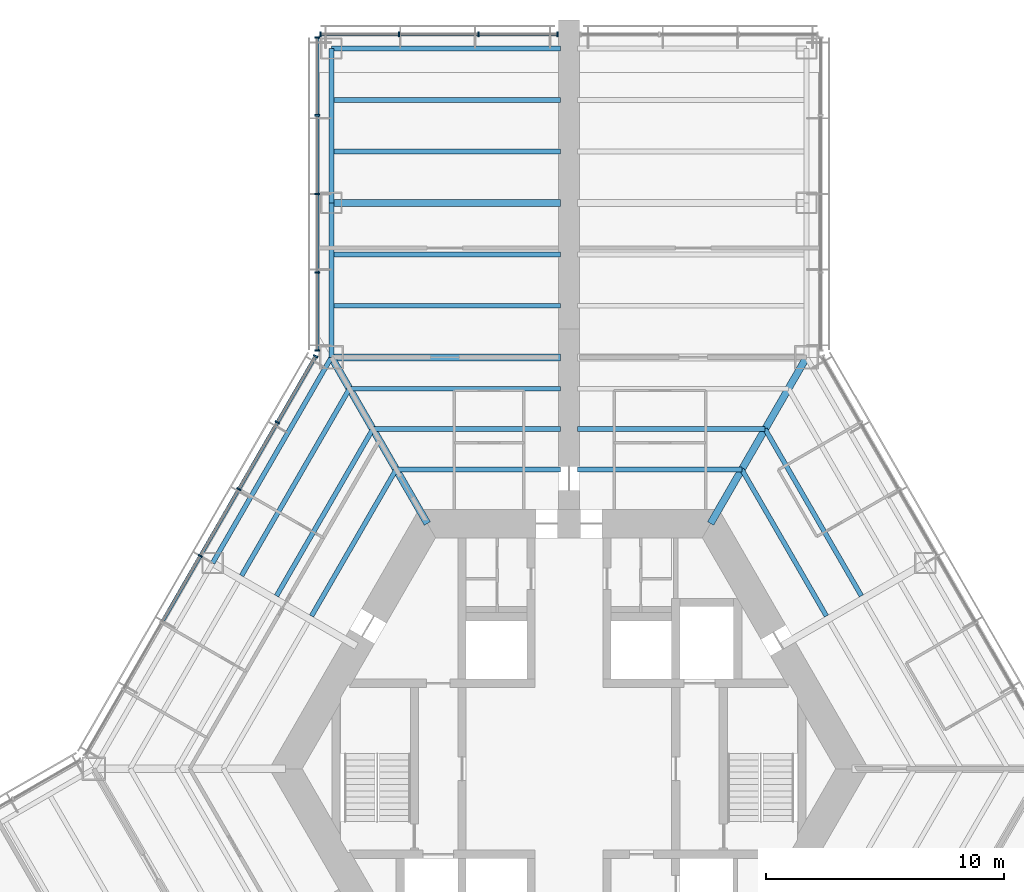
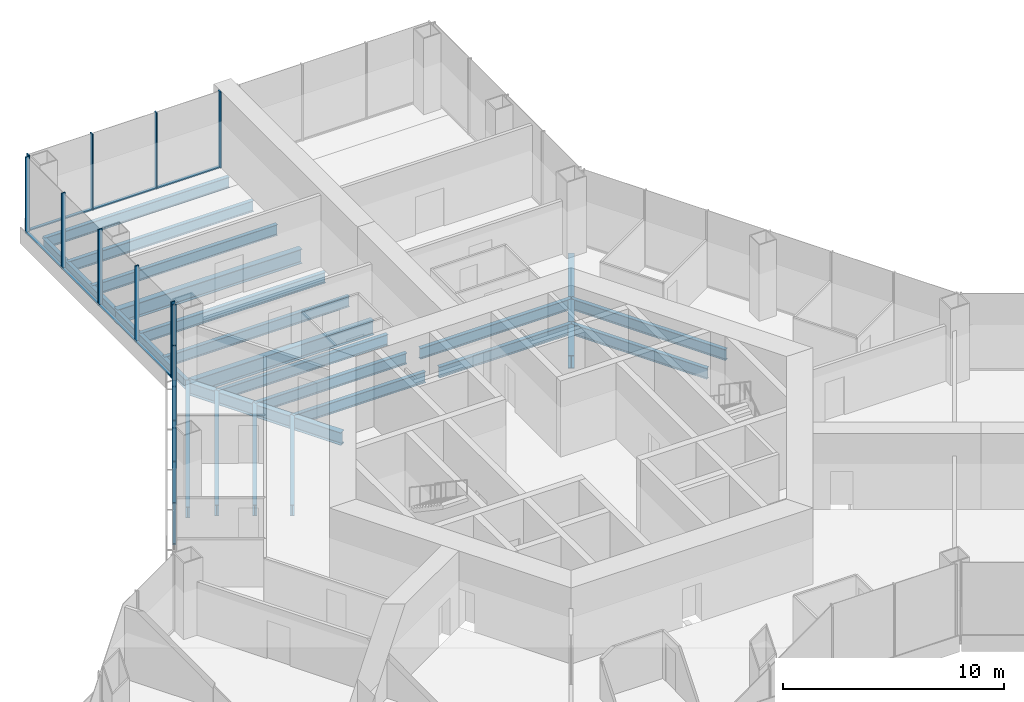
# One storey, part 6 of 17: 24 members, 22 beams, 3 elements without a shape of their own.
"""IFC4 building model written with IfcOpenShell, lengths in metres."""

from ifc_helpers import new_model, si_unit, direction, frame, origin, origin_2d, place, context, subcontext, project, spatial, rectangle, i_section, extrude, material, material_profile, profile_set, type_object, element, aggregate, save


model = new_model("IFC4")

# Units and contexts
model_context = context("Model", 3, precision=1e-05, world=origin(), true_north=direction((0.0, 1.0)))
body_context = subcontext(model_context, "Body", "Model", "MODEL_VIEW")
ifc_project = project(units=[si_unit("LENGTHUNIT", "METRE"), si_unit("AREAUNIT", "SQUARE_METRE"), si_unit("VOLUMEUNIT", "CUBIC_METRE"), si_unit("PLANEANGLEUNIT", "RADIAN"), si_unit("MASSUNIT", "GRAM", prefix="KILO")], contexts=[model_context])

# Site, building, storey
site_placement = place(None, origin())
site = spatial("IfcSite", under=ifc_project, at=site_placement, CompositionType="ELEMENT")
building_placement = place(site_placement, origin())
building = spatial("IfcBuilding", under=site, at=building_placement, Name="Kasaneha Research Tower", CompositionType="ELEMENT")
storey_placement = place(building_placement, frame((0.0, 0.0, 47.800048828125)))
storey = spatial("IfcBuildingStorey", under=building, at=storey_placement, Name="L12", CompositionType="ELEMENT", Elevation=47.800048828125)

# Beams
ifc_material_1 = material(Name="Steel SN490B", Category="steel")
ifc_material_profile_1 = material_profile(ifc_material_1, i_section(OverallWidth=0.199951171875, OverallDepth=0.60009765625, WebThickness=0.010986328125, FlangeThickness=0.01708984375, FilletRadius=0.012939453125, at=origin_2d()), Name="H-600x200x11x17")
ifc_profile_set_1 = profile_set([ifc_material_profile_1], Name="Steel SN490B")
beam_type_1 = type_object("IfcBeamType", Name="B1-2 secondary beam H-600x200x11x17", PredefinedType="JOIST", material=ifc_profile_set_1)
beam_1_placement = place(storey_placement, frame((7.274658203125, 12.60009765625, -0.469970703125), z_axis=(0.499990404686, -0.866030943571, 0.0), x_axis=(0.866030943571, 0.499990404686, 0.0)))
element("IfcBeam", 1, at=beam_1_placement, inside=storey, type_object=beam_type_1, Name="Secondary beam RS030R1 L12", PredefinedType="JOIST", context=body_context, shape_type="SweptSolid", body=[
    extrude(i_section(OverallWidth=0.199951171875, OverallDepth=0.60009765625, WebThickness=0.010986328125, FlangeThickness=0.01708984375, FilletRadius=0.012939453125, at=origin_2d()), origin(), (0.0, 0.0, 1.0), 7.124755859375),
])
beam_2_placement = place(storey_placement, frame((8.256103515625, 14.300048828125, -0.469970703125), z_axis=(0.499984030215, -0.866034623748, 0.0), x_axis=(0.866034623748, 0.499984030215, 0.0)))
element("IfcBeam", 2, at=beam_2_placement, inside=storey, type_object=beam_type_1, Name="Secondary beam RS030R2 L12", PredefinedType="JOIST", context=body_context, shape_type="SweptSolid", body=[
    extrude(i_section(OverallWidth=0.199951171875, OverallDepth=0.60009765625, WebThickness=0.010986328125, FlangeThickness=0.01708984375, FilletRadius=0.012939453125, at=origin_2d()), origin(), (0.0, 0.0, 1.0), 8.106201171875),
])
beam_3_placement = place(storey_placement, frame((7.274658203125, 12.60009765625, -0.469970703125), z_axis=(-1.0, 0.0, 0.0), x_axis=(0.0, -1.0, 0.0)))
element("IfcBeam", 3, at=beam_3_placement, inside=storey, type_object=beam_type_1, Name="Secondary beam RS090L1 L12", PredefinedType="JOIST", context=body_context, shape_type="SweptSolid", body=[
    extrude(i_section(OverallWidth=0.199951171875, OverallDepth=0.60009765625, WebThickness=0.010986328125, FlangeThickness=0.01708984375, FilletRadius=0.012939453125, at=origin_2d()), origin(), (0.0, 0.0, 1.0), 6.924560546875),
])
beam_4_placement = place(storey_placement, frame((8.256103515625, 14.300048828125, -0.469970703125), z_axis=(-1.0, 0.0, 0.0), x_axis=(0.0, -1.0, 0.0)))
element("IfcBeam", 4, at=beam_4_placement, inside=storey, type_object=beam_type_1, Name="Secondary beam RS090L2 L12", PredefinedType="JOIST", context=body_context, shape_type="SweptSolid", body=[
    extrude(i_section(OverallWidth=0.199951171875, OverallDepth=0.60009765625, WebThickness=0.010986328125, FlangeThickness=0.01708984375, FilletRadius=0.012939453125, at=origin_2d()), origin(), (0.0, 0.0, 1.0), 7.906005859375),
])
beam_5_placement = place(storey_placement, frame((-7.274658203125, 12.60009765625, -0.469970703125), z_axis=(1.0, 0.0, 0.0), x_axis=(0.0, 1.0, 0.0)))
element("IfcBeam", 5, at=beam_5_placement, inside=storey, type_object=beam_type_1, Name="Secondary beam RS090R1 L12", PredefinedType="JOIST", context=body_context, shape_type="SweptSolid", body=[
    extrude(i_section(OverallWidth=0.199951171875, OverallDepth=0.60009765625, WebThickness=0.010986328125, FlangeThickness=0.01708984375, FilletRadius=0.012939453125, at=origin_2d()), origin(), (0.0, 0.0, 1.0), 6.924560546875),
])
beam_6_placement = place(storey_placement, frame((-8.256103515625, 14.300048828125, -0.469970703125), z_axis=(1.0, 0.0, 0.0), x_axis=(0.0, 1.0, 0.0)))
element("IfcBeam", 6, at=beam_6_placement, inside=storey, type_object=beam_type_1, Name="Secondary beam RS090R2 L12", PredefinedType="JOIST", context=body_context, shape_type="SweptSolid", body=[
    extrude(i_section(OverallWidth=0.199951171875, OverallDepth=0.60009765625, WebThickness=0.010986328125, FlangeThickness=0.01708984375, FilletRadius=0.012939453125, at=origin_2d()), origin(), (0.0, 0.0, 1.0), 7.906005859375),
])
beam_7_placement = place(storey_placement, frame((-9.237548828125, 16.0, -0.469970703125), z_axis=(1.0, 0.0, 0.0), x_axis=(0.0, 1.0, 0.0)))
element("IfcBeam", 7, at=beam_7_placement, inside=storey, type_object=beam_type_1, Name="Secondary beam RS090R3 L12", PredefinedType="JOIST", context=body_context, shape_type="SweptSolid", body=[
    extrude(i_section(OverallWidth=0.199951171875, OverallDepth=0.60009765625, WebThickness=0.010986328125, FlangeThickness=0.01708984375, FilletRadius=0.012939453125, at=origin_2d()), origin(), (0.0, 0.0, 1.0), 8.887451171875),
])
beam_8_placement = place(storey_placement, frame((-7.274658203125, 12.60009765625, -0.469970703125), z_axis=(-0.499990404686, -0.866030943571, 0.0), x_axis=(0.866030943571, -0.499990404686, 0.0)))
element("IfcBeam", 8, at=beam_8_placement, inside=storey, type_object=beam_type_1, Name="Secondary beam RS150L1 L12", PredefinedType="JOIST", context=body_context, shape_type="SweptSolid", body=[
    extrude(i_section(OverallWidth=0.199951171875, OverallDepth=0.60009765625, WebThickness=0.010986328125, FlangeThickness=0.01708984375, FilletRadius=0.012939453125, at=origin_2d()), origin(), (0.0, 0.0, 1.0), 7.124755859375),
])
beam_9_placement = place(storey_placement, frame((-8.256103515625, 14.300048828125, -0.469970703125), z_axis=(-0.499984030215, -0.866034623748, 0.0), x_axis=(0.866034623748, -0.499984030215, 0.0)))
element("IfcBeam", 9, at=beam_9_placement, inside=storey, type_object=beam_type_1, Name="Secondary beam RS150L2 L12", PredefinedType="JOIST", context=body_context, shape_type="SweptSolid", body=[
    extrude(i_section(OverallWidth=0.199951171875, OverallDepth=0.60009765625, WebThickness=0.010986328125, FlangeThickness=0.01708984375, FilletRadius=0.012939453125, at=origin_2d()), origin(), (0.0, 0.0, 1.0), 8.106201171875),
])
beam_10_placement = place(storey_placement, frame((-9.237548828125, 16.0, -0.469970703125), z_axis=(-0.500010814234, -0.866019160093, 0.0), x_axis=(0.866019160093, -0.500010814234, 0.0)))
element("IfcBeam", 10, at=beam_10_placement, inside=storey, type_object=beam_type_1, Name="Secondary beam RS150L3 L12", PredefinedType="JOIST", context=body_context, shape_type="SweptSolid", body=[
    extrude(i_section(OverallWidth=0.199951171875, OverallDepth=0.60009765625, WebThickness=0.010986328125, FlangeThickness=0.01708984375, FilletRadius=0.012939453125, at=origin_2d()), origin(), (0.0, 0.0, 1.0), 9.087646484375),
])
ifc_material_2 = material(Name="Steel SN490B", Category="steel")
ifc_material_profile_2 = material_profile(ifc_material_2, i_section(OverallWidth=0.198974609375, OverallDepth=0.595947265625, WebThickness=0.010009765625, FlangeThickness=0.014892578125, FilletRadius=0.012939453125, at=origin_2d()), Name="H-596x199x10x15")
ifc_profile_set_2 = profile_set([ifc_material_profile_2], Name="Steel SN490B")
beam_type_2 = type_object("IfcBeamType", Name="B2-2 secondary beam H-596x199x10x15", PredefinedType="JOIST", material=ifc_profile_set_2)
for number, where, z_axis, x_axis, name in (
    (11, (-10.0, 19.487060546875, -0.468017578125), (1.0, 0.0, 0.0), (0.0, 1.0, 0.0), "Secondary beam WBAN1 L12"),
    (12, (-10.0, 21.65380859375, -0.468017578125), (1.0, 0.0, 0.0), (0.0, 1.0, 0.0), "Secondary beam WBAN2 L12"),
    (13, (-10.0, 25.987060546875, -0.468017578125), (1.0, 0.0, 0.0), (0.0, 1.0, 0.0), "Secondary beam WBAN3 L12"),
    (14, (-10.0, 28.15380859375, -0.468017578125), (1.0, 0.0, 0.0), (0.0, 1.0, 0.0), "Secondary beam WBAN4 L12"),
):
    element("IfcBeam", number, at=place(storey_placement, frame(where, z_axis=z_axis, x_axis=x_axis)), inside=storey, type_object=beam_type_2, Name=name, PredefinedType="JOIST", context=body_context, shape_type="SweptSolid", body=[
        extrude(i_section(OverallWidth=0.198974609375, OverallDepth=0.595947265625, WebThickness=0.010009765625, FlangeThickness=0.014892578125, FilletRadius=0.012939453125, at=origin_2d()), origin(), (0.0, 0.0, 1.0), 9.64990234375),
    ])

# Curtain wall, members
ifc_material_3 = material(Name="Glass and aluminium", Category="aluminium")
curtain_wall_type = type_object("IfcCurtainWallType", Name="Dry laboratory curtain wall", PredefinedType="USERDEFINED", material=ifc_material_3)
curtain_wall_1_placement = place(storey_placement, origin())
curtain_wall_1 = element("IfcCurtainWall", 15, at=curtain_wall_1_placement, inside=storey, type_object=curtain_wall_type, Name="CW-L2 L12 run 10a", ObjectType="UNITISED CURTAIN WALL", PredefinedType="USERDEFINED")
ifc_material_4 = material(Name="Aluminium 6063-T6", Category="aluminium")
ifc_material_profile_3 = material_profile(ifc_material_4, rectangle(XDim=0.06494140625, YDim=0.199951171875, at=origin_2d()), Name="CW-L2 mullion 65x200")
ifc_profile_set_3 = profile_set([ifc_material_profile_3], Name="Aluminium 6063-T6")
member_type_1 = type_object("IfcMemberType", Name="CW-L2 mullion", PredefinedType="MULLION", material=ifc_profile_set_3)
member_1_placement = place(storey_placement, frame((-0.482421875, 30.92041015625, 0.0), z_axis=(0.0, 0.0, 1.0), x_axis=(-1.0, 0.0, 0.0)))
member_1 = element("IfcMember", 16, at=member_1_placement, type_object=member_type_1, Name="CW-L2 mullion 1", PredefinedType="MULLION", context=body_context, shape_type="SweptSolid", body=[
    extrude(rectangle(XDim=0.06494140625, YDim=0.199951171875, at=origin_2d()), origin(), (0.0, 0.0, 1.0), 4.199951171875),
])
member_2_placement = place(storey_placement, frame((-3.800048828125, 30.92041015625, 0.0), z_axis=(0.0, 0.0, 1.0), x_axis=(-1.0, 0.0, 0.0)))
member_2 = element("IfcMember", 17, at=member_2_placement, type_object=member_type_1, Name="CW-L2 mullion 2", PredefinedType="MULLION", context=body_context, shape_type="SweptSolid", body=[
    extrude(rectangle(XDim=0.06494140625, YDim=0.199951171875, at=origin_2d()), origin(), (0.0, 0.0, 1.0), 4.199951171875),
])
member_3_placement = place(storey_placement, frame((-7.14990234375, 30.92041015625, 0.0), z_axis=(0.0, 0.0, 1.0), x_axis=(-1.0, 0.0, 0.0)))
member_3 = element("IfcMember", 18, at=member_3_placement, type_object=member_type_1, Name="CW-L2 mullion 3", PredefinedType="MULLION", context=body_context, shape_type="SweptSolid", body=[
    extrude(rectangle(XDim=0.06494140625, YDim=0.199951171875, at=origin_2d()), origin(), (0.0, 0.0, 1.0), 4.199951171875),
])
member_4_placement = place(storey_placement, frame((-10.467529296875, 30.92041015625, 0.0), z_axis=(0.0, 0.0, 1.0), x_axis=(-1.0, 0.0, 0.0)))
member_4 = element("IfcMember", 19, at=member_4_placement, type_object=member_type_1, Name="CW-L2 mullion 4", PredefinedType="MULLION", context=body_context, shape_type="SweptSolid", body=[
    extrude(rectangle(XDim=0.06494140625, YDim=0.199951171875, at=origin_2d()), origin(), (0.0, 0.0, 1.0), 4.199951171875),
])

curtain_wall_2_placement = place(storey_placement, origin())
curtain_wall_2 = element("IfcCurtainWall", 20, at=curtain_wall_2_placement, inside=storey, type_object=curtain_wall_type, Name="CW-L2 L12 run 11a", ObjectType="UNITISED CURTAIN WALL", PredefinedType="USERDEFINED")
member_5_placement = place(storey_placement, frame((-10.60009765625, 30.7880859375, 0.0), z_axis=(0.0, 0.0, 1.0), x_axis=(0.0, -1.0, 0.0)))
member_5 = element("IfcMember", 21, at=member_5_placement, type_object=member_type_1, Name="CW-L2 mullion 1", PredefinedType="MULLION", context=body_context, shape_type="SweptSolid", body=[
    extrude(rectangle(XDim=0.06494140625, YDim=0.199951171875, at=origin_2d()), origin(), (0.0, 0.0, 1.0), 4.199951171875),
])
member_6_placement = place(storey_placement, frame((-10.60009765625, 27.5107421875, 0.0), z_axis=(0.0, 0.0, 1.0), x_axis=(0.0, -1.0, 0.0)))
member_6 = element("IfcMember", 22, at=member_6_placement, type_object=member_type_1, Name="CW-L2 mullion 2", PredefinedType="MULLION", context=body_context, shape_type="SweptSolid", body=[
    extrude(rectangle(XDim=0.06494140625, YDim=0.199951171875, at=origin_2d()), origin(), (0.0, 0.0, 1.0), 4.199951171875),
])
member_7_placement = place(storey_placement, frame((-10.60009765625, 24.200927734375, 0.0), z_axis=(0.0, 0.0, 1.0), x_axis=(0.0, -1.0, 0.0)))
member_7 = element("IfcMember", 23, at=member_7_placement, type_object=member_type_1, Name="CW-L2 mullion 3", PredefinedType="MULLION", context=body_context, shape_type="SweptSolid", body=[
    extrude(rectangle(XDim=0.06494140625, YDim=0.199951171875, at=origin_2d()), origin(), (0.0, 0.0, 1.0), 4.199951171875),
])
member_8_placement = place(storey_placement, frame((-10.60009765625, 20.89111328125, 0.0), z_axis=(0.0, 0.0, 1.0), x_axis=(0.0, -1.0, 0.0)))
member_8 = element("IfcMember", 24, at=member_8_placement, type_object=member_type_1, Name="CW-L2 mullion 4", PredefinedType="MULLION", context=body_context, shape_type="SweptSolid", body=[
    extrude(rectangle(XDim=0.06494140625, YDim=0.199951171875, at=origin_2d()), origin(), (0.0, 0.0, 1.0), 4.199951171875),
])
member_9_placement = place(storey_placement, frame((-10.60009765625, 17.61376953125, 0.0), z_axis=(0.0, 0.0, 1.0), x_axis=(0.0, -1.0, 0.0)))
member_9 = element("IfcMember", 25, at=member_9_placement, type_object=member_type_1, Name="CW-L2 mullion 5", PredefinedType="MULLION", context=body_context, shape_type="SweptSolid", body=[
    extrude(rectangle(XDim=0.06494140625, YDim=0.199951171875, at=origin_2d()), origin(), (0.0, 0.0, 1.0), 4.199951171875),
])

curtain_wall_3_placement = place(storey_placement, origin())
curtain_wall_3 = element("IfcCurtainWall", 26, at=curtain_wall_3_placement, inside=storey, type_object=curtain_wall_type, Name="CW-L2 L12 run 12a", ObjectType="UNITISED CURTAIN WALL", PredefinedType="USERDEFINED")
member_10_placement = place(storey_placement, frame((-10.666259765625, 17.366455078125, 0.0), z_axis=(0.0, 0.0, 1.0), x_axis=(-0.49999996188, -0.866025425793, 0.0)))
member_10 = element("IfcMember", 27, at=member_10_placement, type_object=member_type_1, Name="CW-L2 mullion 1", PredefinedType="MULLION", context=body_context, shape_type="SweptSolid", body=[
    extrude(rectangle(XDim=0.06494140625, YDim=0.199951171875, at=origin_2d()), origin(), (0.0, 0.0, 1.0), 4.199951171875),
])
member_11_placement = place(storey_placement, frame((-12.273193359375, 14.583251953125, 0.0), z_axis=(0.0, 0.0, 1.0), x_axis=(-0.49999996188, -0.866025425793, 0.0)))
member_11 = element("IfcMember", 28, at=member_11_placement, type_object=member_type_1, Name="CW-L2 mullion 2", PredefinedType="MULLION", context=body_context, shape_type="SweptSolid", body=[
    extrude(rectangle(XDim=0.06494140625, YDim=0.199951171875, at=origin_2d()), origin(), (0.0, 0.0, 1.0), 4.199951171875),
])
member_12_placement = place(storey_placement, frame((-13.896484375, 11.771728515625, 0.0), z_axis=(0.0, 0.0, 1.0), x_axis=(-0.49999996188, -0.866025425793, 0.0)))
member_12 = element("IfcMember", 29, at=member_12_placement, type_object=member_type_1, Name="CW-L2 mullion 3", PredefinedType="MULLION", context=body_context, shape_type="SweptSolid", body=[
    extrude(rectangle(XDim=0.06494140625, YDim=0.199951171875, at=origin_2d()), origin(), (0.0, 0.0, 1.0), 4.199951171875),
])
member_13_placement = place(storey_placement, frame((-15.51953125, 8.960205078125, 0.0), z_axis=(0.0, 0.0, 1.0), x_axis=(-0.49999996188, -0.866025425793, 0.0)))
member_13 = element("IfcMember", 30, at=member_13_placement, type_object=member_type_1, Name="CW-L2 mullion 4", PredefinedType="MULLION", context=body_context, shape_type="SweptSolid", body=[
    extrude(rectangle(XDim=0.06494140625, YDim=0.199951171875, at=origin_2d()), origin(), (0.0, 0.0, 1.0), 4.199951171875),
])

# Member
ifc_material_5 = material(Name="Aluminium 6063-T6", Category="aluminium")
ifc_material_profile_4 = material_profile(ifc_material_5, rectangle(XDim=0.14990234375, YDim=0.06494140625, at=origin_2d()), Name="CW-L2 transom 150x65")
ifc_profile_set_4 = profile_set([ifc_material_profile_4], Name="Aluminium 6063-T6")
member_type_2 = type_object("IfcMemberType", Name="CW-L2 transom", PredefinedType="USERDEFINED", material=ifc_profile_set_4)
member_14_placement = place(storey_placement, frame((-0.514892578125, 30.92041015625, 0.032470703125), z_axis=(-1.0, 0.0, 0.0), x_axis=(0.0, -1.0, 0.0)))
member_14 = element("IfcMember", 31, at=member_14_placement, type_object=member_type_2, Name="CW-L2 transom 1", ObjectType="TRANSOM", PredefinedType="USERDEFINED", context=body_context, shape_type="SweptSolid", body=[
    extrude(rectangle(XDim=0.14990234375, YDim=0.06494140625, at=origin_2d()), origin(), (0.0, 0.0, 1.0), 3.252685546875),
])

member_15_placement = place(storey_placement, frame((-3.83251953125, 30.92041015625, 0.032470703125), z_axis=(-1.0, 0.0, 0.0), x_axis=(0.0, -1.0, 0.0)))
member_15 = element("IfcMember", 32, at=member_15_placement, type_object=member_type_2, Name="CW-L2 transom 2", ObjectType="TRANSOM", PredefinedType="USERDEFINED", context=body_context, shape_type="SweptSolid", body=[
    extrude(rectangle(XDim=0.14990234375, YDim=0.06494140625, at=origin_2d()), origin(), (0.0, 0.0, 1.0), 3.284912109375),
])

member_16_placement = place(storey_placement, frame((-7.1826171875, 30.92041015625, 0.032470703125), z_axis=(-1.0, 0.0, 0.0), x_axis=(0.0, -1.0, 0.0)))
member_16 = element("IfcMember", 33, at=member_16_placement, type_object=member_type_2, Name="CW-L2 transom 3", ObjectType="TRANSOM", PredefinedType="USERDEFINED", context=body_context, shape_type="SweptSolid", body=[
    extrude(rectangle(XDim=0.14990234375, YDim=0.06494140625, at=origin_2d()), origin(), (0.0, 0.0, 1.0), 3.25244140625),
])

aggregate(curtain_wall_1, [member_1, member_2, member_3, member_4, member_14, member_15, member_16])

member_17_placement = place(storey_placement, frame((-10.60009765625, 30.755615234375, 0.032470703125), z_axis=(0.0, -1.0, 0.0), x_axis=(1.0, 0.0, 0.0)))
member_17 = element("IfcMember", 34, at=member_17_placement, type_object=member_type_2, Name="CW-L2 transom 1", ObjectType="TRANSOM", PredefinedType="USERDEFINED", context=body_context, shape_type="SweptSolid", body=[
    extrude(rectangle(XDim=0.14990234375, YDim=0.06494140625, at=origin_2d()), origin(), (0.0, 0.0, 1.0), 3.21240234375),
])

member_18_placement = place(storey_placement, frame((-10.60009765625, 27.478271484375, 0.032470703125), z_axis=(0.0, -1.0, 0.0), x_axis=(1.0, 0.0, 0.0)))
member_18 = element("IfcMember", 35, at=member_18_placement, type_object=member_type_2, Name="CW-L2 transom 2", ObjectType="TRANSOM", PredefinedType="USERDEFINED", context=body_context, shape_type="SweptSolid", body=[
    extrude(rectangle(XDim=0.14990234375, YDim=0.06494140625, at=origin_2d()), origin(), (0.0, 0.0, 1.0), 3.244873046875),
])

member_19_placement = place(storey_placement, frame((-10.60009765625, 24.16845703125, 0.032470703125), z_axis=(0.0, -1.0, 0.0), x_axis=(1.0, 0.0, 0.0)))
member_19 = element("IfcMember", 36, at=member_19_placement, type_object=member_type_2, Name="CW-L2 transom 3", ObjectType="TRANSOM", PredefinedType="USERDEFINED", context=body_context, shape_type="SweptSolid", body=[
    extrude(rectangle(XDim=0.14990234375, YDim=0.06494140625, at=origin_2d()), origin(), (0.0, 0.0, 1.0), 3.244873046875),
])

member_20_placement = place(storey_placement, frame((-10.60009765625, 20.858642578125, 0.032470703125), z_axis=(0.0, -1.0, 0.0), x_axis=(1.0, 0.0, 0.0)))
member_20 = element("IfcMember", 37, at=member_20_placement, type_object=member_type_2, Name="CW-L2 transom 4", ObjectType="TRANSOM", PredefinedType="USERDEFINED", context=body_context, shape_type="SweptSolid", body=[
    extrude(rectangle(XDim=0.14990234375, YDim=0.06494140625, at=origin_2d()), origin(), (0.0, 0.0, 1.0), 3.21240234375),
])

aggregate(curtain_wall_2, [member_5, member_6, member_7, member_8, member_9, member_17, member_18, member_19, member_20])

member_21_placement = place(storey_placement, frame((-10.6826171875, 17.33837890625, 0.032470703125), z_axis=(-0.499941702305, -0.866059059358, 0.0), x_axis=(0.866059059358, -0.499941702305, 0.0)))
member_21 = element("IfcMember", 38, at=member_21_placement, type_object=member_type_2, Name="CW-L2 transom 1", ObjectType="TRANSOM", PredefinedType="USERDEFINED", context=body_context, shape_type="SweptSolid", body=[
    extrude(rectangle(XDim=0.14990234375, YDim=0.06494140625, at=origin_2d()), origin(), (0.0, 0.0, 1.0), 3.14892578125),
])

member_22_placement = place(storey_placement, frame((-12.28955078125, 14.55517578125, 0.032470703125), z_axis=(-0.499943876812, -0.866057804098, 0.0), x_axis=(0.866057804098, -0.499943876812, 0.0)))
member_22 = element("IfcMember", 39, at=member_22_placement, type_object=member_type_2, Name="CW-L2 transom 2", ObjectType="TRANSOM", PredefinedType="USERDEFINED", context=body_context, shape_type="SweptSolid", body=[
    extrude(rectangle(XDim=0.14990234375, YDim=0.06494140625, at=origin_2d()), origin(), (0.0, 0.0, 1.0), 3.181396484375),
])

member_23_placement = place(storey_placement, frame((-13.91259765625, 11.74365234375, 0.032470703125), z_axis=(-0.500001430823, -0.866024577697, 0.0), x_axis=(0.866024577697, -0.500001430823, 0.0)))
member_23 = element("IfcMember", 40, at=member_23_placement, type_object=member_type_2, Name="CW-L2 transom 3", ObjectType="TRANSOM", PredefinedType="USERDEFINED", context=body_context, shape_type="SweptSolid", body=[
    extrude(rectangle(XDim=0.14990234375, YDim=0.06494140625, at=origin_2d()), origin(), (0.0, 0.0, 1.0), 3.181640625),
])

member_24_placement = place(storey_placement, frame((-15.535888671875, 8.93212890625, 0.032470703125), z_axis=(-0.499977104415, -0.866038622153, 0.0), x_axis=(0.866038622153, -0.499977104415, 0.0)))
member_24 = element("IfcMember", 41, at=member_24_placement, type_object=member_type_2, Name="CW-L2 transom 4", ObjectType="TRANSOM", PredefinedType="USERDEFINED", context=body_context, shape_type="SweptSolid", body=[
    extrude(rectangle(XDim=0.14990234375, YDim=0.06494140625, at=origin_2d()), origin(), (0.0, 0.0, 1.0), 3.181396484375),
])

aggregate(curtain_wall_3, [member_10, member_11, member_12, member_13, member_21, member_22, member_23, member_24])

# Beams
ifc_material_6 = material(Name="Steel SN490B", Category="steel")
ifc_material_profile_5 = material_profile(ifc_material_6, i_section(OverallWidth=0.300048828125, OverallDepth=0.699951171875, WebThickness=0.012939453125, FlangeThickness=0.02392578125, FilletRadius=0.01806640625, at=origin_2d()), Name="H-700x300x13x24")
ifc_profile_set_5 = profile_set([ifc_material_profile_5], Name="Steel SN490B")
beam_type_3 = type_object("IfcBeamType", Name="G1-2 radial girder H-700x300x13x24", PredefinedType="BEAM", material=ifc_profile_set_5)
for number, where, z_axis, x_axis, name in (
    (42, (5.961181640625, 10.324951171875, -0.52001953125), (0.49999105496, 0.866030568144, 0.0), (-0.866030568144, 0.49999105496, 0.0), "Radial girder RV060 L12"),
    (43, (-5.961181640625, 10.324951171875, -0.52001953125), (-0.49999105496, 0.866030568144, 0.0), (-0.866030568144, -0.49999105496, 0.0), "Radial girder RV120 L12"),
):
    element("IfcBeam", number, at=place(storey_placement, frame(where, z_axis=z_axis, x_axis=x_axis)), inside=storey, type_object=beam_type_3, Name=name, PredefinedType="BEAM", context=body_context, shape_type="SweptSolid", body=[
        extrude(i_section(OverallWidth=0.300048828125, OverallDepth=0.699951171875, WebThickness=0.012939453125, FlangeThickness=0.02392578125, FilletRadius=0.01806640625, at=origin_2d()), origin(), (0.0, 0.0, 1.0), 8.077880859375),
    ])
ifc_material_7 = material(Name="Steel SN490B", Category="steel")
ifc_material_profile_6 = material_profile(ifc_material_7, i_section(OverallWidth=0.300048828125, OverallDepth=0.7919921875, WebThickness=0.013916015625, FlangeThickness=0.02197265625, FilletRadius=0.01806640625, at=origin_2d()), Name="H-792x300x14x22")
ifc_profile_set_6 = profile_set([ifc_material_profile_6], Name="Steel SN490B")
beam_type_4 = type_object("IfcBeamType", Name="G3-2 plate edge girder H-792x300x14x22", PredefinedType="BEAM", material=ifc_profile_set_6)
beam_11_placement = place(storey_placement, frame((-10.0, 17.320556640625, -0.566162109375), z_axis=(1.0, 0.0, 0.0), x_axis=(0.0, 1.0, 0.0)))
element("IfcBeam", 44, at=beam_11_placement, inside=storey, type_object=beam_type_4, Name="Plate edge girder PEAN L12", PredefinedType="BEAM", context=body_context, shape_type="SweptSolid", body=[
    extrude(i_section(OverallWidth=0.300048828125, OverallDepth=0.7919921875, WebThickness=0.013916015625, FlangeThickness=0.02197265625, FilletRadius=0.01806640625, at=origin_2d()), origin(), (0.0, 0.0, 1.0), 9.64990234375),
])
ifc_material_8 = material(Name="Steel SN490B", Category="steel")
ifc_material_profile_7 = material_profile(ifc_material_8, i_section(OverallWidth=0.300048828125, OverallDepth=0.800048828125, WebThickness=0.013916015625, FlangeThickness=0.02587890625, FilletRadius=0.01806640625, at=origin_2d()), Name="H-800x300x14x26")
ifc_profile_set_7 = profile_set([ifc_material_profile_7], Name="Steel SN490B")
beam_type_5 = type_object("IfcBeamType", Name="G4-2 wing girder H-800x300x14x26", PredefinedType="BEAM", material=ifc_profile_set_7)
beam_12_placement = place(storey_placement, frame((-10.0, 23.820556640625, -0.570068359375), z_axis=(1.0, 0.0, 0.0), x_axis=(0.0, 1.0, 0.0)))
element("IfcBeam", 45, at=beam_12_placement, inside=storey, type_object=beam_type_5, Name="Wing girder WGAN L12", PredefinedType="BEAM", context=body_context, shape_type="SweptSolid", body=[
    extrude(i_section(OverallWidth=0.300048828125, OverallDepth=0.800048828125, WebThickness=0.013916015625, FlangeThickness=0.02587890625, FilletRadius=0.01806640625, at=origin_2d()), origin(), (0.0, 0.0, 1.0), 9.64990234375),
])
ifc_material_9 = material(Name="Steel SN490B", Category="steel")
ifc_material_profile_8 = material_profile(ifc_material_9, i_section(OverallWidth=0.199951171875, OverallDepth=0.60009765625, WebThickness=0.010986328125, FlangeThickness=0.01708984375, FilletRadius=0.012939453125, at=origin_2d()), Name="H-600x200x11x17")
ifc_profile_set_8 = profile_set([ifc_material_profile_8], Name="Steel SN490B")
beam_type_6 = type_object("IfcBeamType", Name="SB1-2 spandrel beam H-600x200x11x17", PredefinedType="SPANDREL", material=ifc_profile_set_8)
beam_13_placement = place(storey_placement, frame((-10.0, 17.320556640625, -0.469970703125), z_axis=(-0.499993662806, -0.866029062534, 0.0), x_axis=(0.866029062534, -0.499993662806, 0.0)))
element("IfcBeam", 46, at=beam_13_placement, inside=storey, type_object=beam_type_6, Name="Spandrel beam SR150L L12", PredefinedType="SPANDREL", context=body_context, shape_type="SweptSolid", body=[
    extrude(i_section(OverallWidth=0.199951171875, OverallDepth=0.60009765625, WebThickness=0.010986328125, FlangeThickness=0.01708984375, FilletRadius=0.012939453125, at=origin_2d()), origin(), (0.0, 0.0, 1.0), 10.000244140625),
])
ifc_material_10 = material(Name="Steel SN490B", Category="steel")
ifc_material_profile_9 = material_profile(ifc_material_10, i_section(OverallWidth=0.199951171875, OverallDepth=0.5, WebThickness=0.010009765625, FlangeThickness=0.01611328125, FilletRadius=0.012939453125, at=origin_2d()), Name="H-500x200x10x16")
ifc_profile_set_9 = profile_set([ifc_material_profile_9], Name="Steel SN490B")
beam_type_7 = type_object("IfcBeamType", Name="SB2-2 spandrel beam H-500x200x10x16", PredefinedType="SPANDREL", material=ifc_profile_set_9)
for number, where, z_axis, x_axis, name in (
    (47, (-10.0, 17.320556640625, -0.420166015625), (0.0, 1.0, 0.0), (-1.0, 0.0, 0.0), "Spandrel beam WSAN1 L12"),
    (48, (-10.0, 23.820556640625, -0.420166015625), (0.0, 1.0, 0.0), (-1.0, 0.0, 0.0), "Spandrel beam WSAN2 L12"),
):
    element("IfcBeam", number, at=place(storey_placement, frame(where, z_axis=z_axis, x_axis=x_axis)), inside=storey, type_object=beam_type_7, Name=name, PredefinedType="SPANDREL", context=body_context, shape_type="SweptSolid", body=[
        extrude(i_section(OverallWidth=0.199951171875, OverallDepth=0.5, WebThickness=0.010009765625, FlangeThickness=0.01611328125, FilletRadius=0.012939453125, at=origin_2d()), origin(), (0.0, 0.0, 1.0), 6.5),
    ])
ifc_material_11 = material(Name="Steel SN490B", Category="steel")
ifc_material_profile_10 = material_profile(ifc_material_11, i_section(OverallWidth=0.199951171875, OverallDepth=0.60009765625, WebThickness=0.010986328125, FlangeThickness=0.01708984375, FilletRadius=0.012939453125, at=origin_2d()), Name="H-600x200x11x17")
ifc_profile_set_10 = profile_set([ifc_material_profile_10], Name="Steel SN490B")
beam_type_8 = type_object("IfcBeamType", Name="SB3-2 spandrel beam H-600x200x11x17", PredefinedType="SPANDREL", material=ifc_profile_set_10)
beam_14_placement = place(storey_placement, frame((-10.0, 30.320556640625, -0.469970703125), z_axis=(1.0, 0.0, 0.0), x_axis=(0.0, 1.0, 0.0)))
element("IfcBeam", 49, at=beam_14_placement, inside=storey, type_object=beam_type_8, Name="Spandrel beam WTAN L12", PredefinedType="SPANDREL", context=body_context, shape_type="SweptSolid", body=[
    extrude(i_section(OverallWidth=0.199951171875, OverallDepth=0.60009765625, WebThickness=0.010986328125, FlangeThickness=0.01708984375, FilletRadius=0.012939453125, at=origin_2d()), origin(), (0.0, 0.0, 1.0), 9.64990234375),
])

save(model, "model.ifc")
